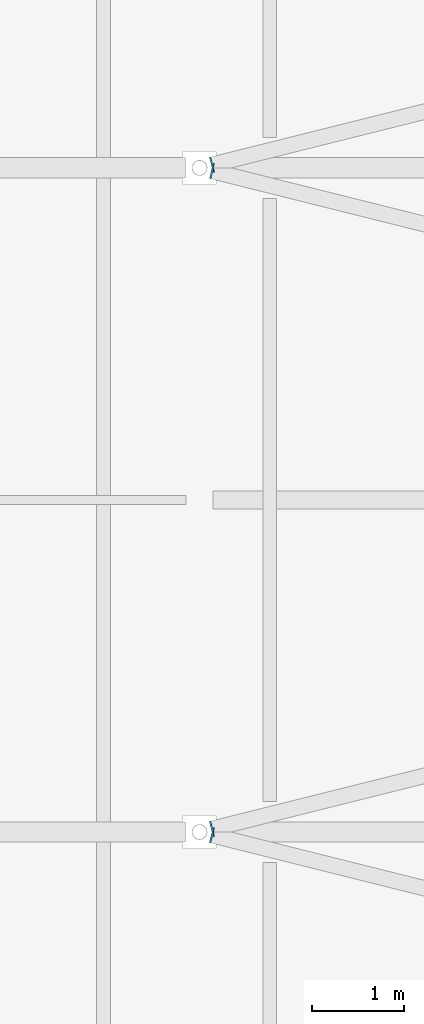
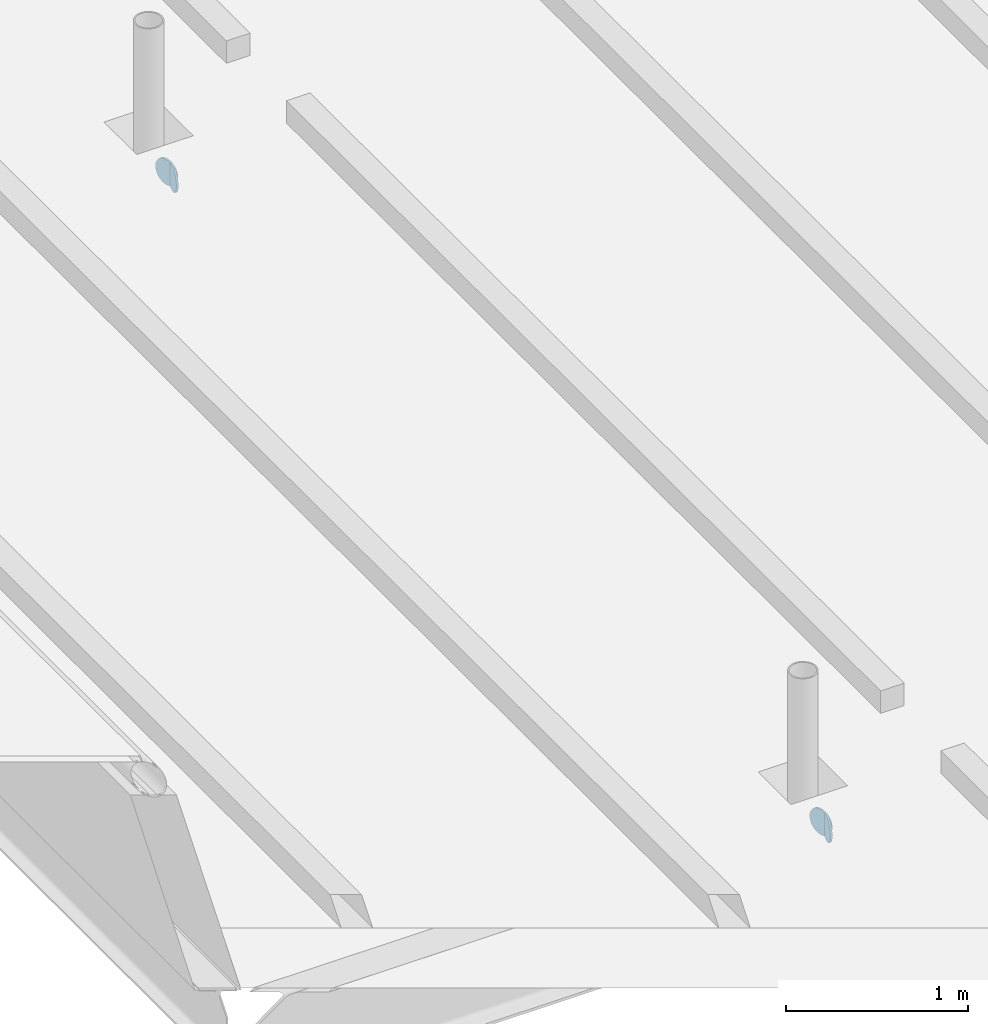
# One storey, part 104 of 120: 4 discrete accessories.
"""IFC4 building model written with IfcOpenShell, lengths in metres."""

from ifc_helpers import new_model, si_unit, direction, frame, origin, origin_2d, place, context, subcontext, project, spatial, circle, extrude, material, layer, layer_set, type_object, element, save


model = new_model("IFC4")

# Units and contexts
model_context = context("Model", 3, precision=1e-05, world=origin(), true_north=direction((0.0, 1.0)))
body_context = subcontext(model_context, "Body", "Model", "MODEL_VIEW")
ifc_project = project(units=[si_unit("LENGTHUNIT", "METRE"), si_unit("AREAUNIT", "SQUARE_METRE"), si_unit("VOLUMEUNIT", "CUBIC_METRE"), si_unit("PLANEANGLEUNIT", "RADIAN"), si_unit("MASSUNIT", "GRAM", prefix="KILO")], contexts=[model_context])

# Site, building, storey
site_placement = place(None, origin())
site = spatial("IfcSite", under=ifc_project, at=site_placement, CompositionType="ELEMENT")
building_placement = place(site_placement, origin())
building = spatial("IfcBuilding", under=site, at=building_placement, Name="Kupolbacken Congress Centre", CompositionType="ELEMENT")
storey_placement = place(building_placement, frame((0.0, 0.0, 21.60009765625)))
storey = spatial("IfcBuildingStorey", under=building, at=storey_placement, Name="L06", CompositionType="ELEMENT", Elevation=21.60009765625)

# Discrete accessories
ifc_material = material(Name="Steel S355", Category="steel")
ifc_layer = layer(ifc_material, 0.011962890625)
ifc_layer_set = layer_set([ifc_layer], Name="Steel S355")
discrete_accessory_type = type_object("IfcDiscreteAccessoryType", Name="EC2 tube end cap plate 168 dia x 12", PredefinedType="BRACKET", material=ifc_layer_set)
for number, where, z_axis, x_axis, name in (
    (1, (180.140625, 75.564697265625, -0.084228515625), (-0.970142500145, 0.242535625036, 0.0), (-0.242535625036, -0.970142500145, 0.0), "End cap plate HR/RB/07-08 B"),
    (2, (180.140625, 75.63525390625, -0.084228515625), (-0.970142500145, -0.242535625036, 0.0), (0.242535625036, -0.970142500145, 0.0), "End cap plate HR/RB/07-09 A"),
    (3, (180.140625, 82.764892578125, -0.084228515625), (-0.974732318528, 0.223376156329, 0.0), (-0.223376156329, -0.974732318528, 0.0), "End cap plate HR/RB/07-10 B"),
    (4, (180.140625, 82.835205078125, -0.084228515625), (-0.970142500145, -0.242535625036, 0.0), (0.242535625036, -0.970142500145, 0.0), "End cap plate HR/RB/07-11 A"),
):
    element("IfcDiscreteAccessory", number, at=place(storey_placement, frame(where, z_axis=z_axis, x_axis=x_axis)), inside=storey, type_object=discrete_accessory_type, Name=name, PredefinedType="BRACKET", context=body_context, shape_type="SweptSolid", body=[
        extrude(circle(Radius=0.084228515625, at=origin_2d()), origin(), (0.0, 0.0, 1.0), 0.011962890625),
    ])

save(model, "model.ifc")
